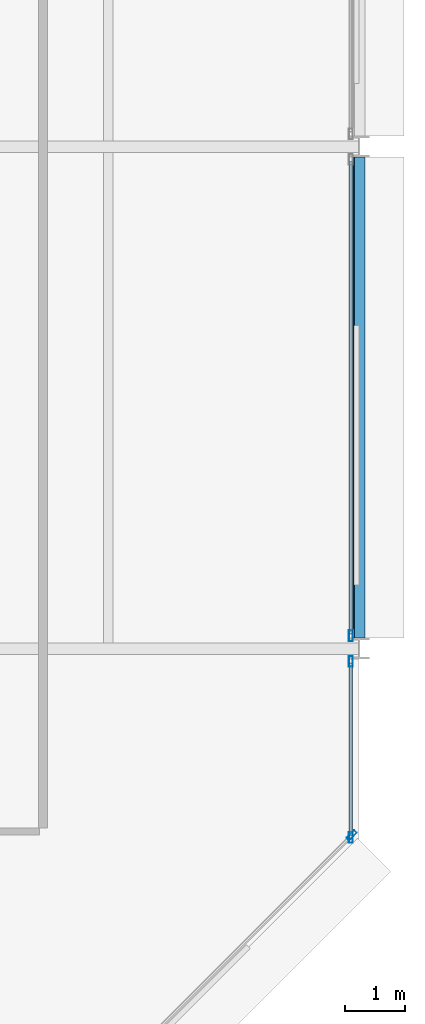
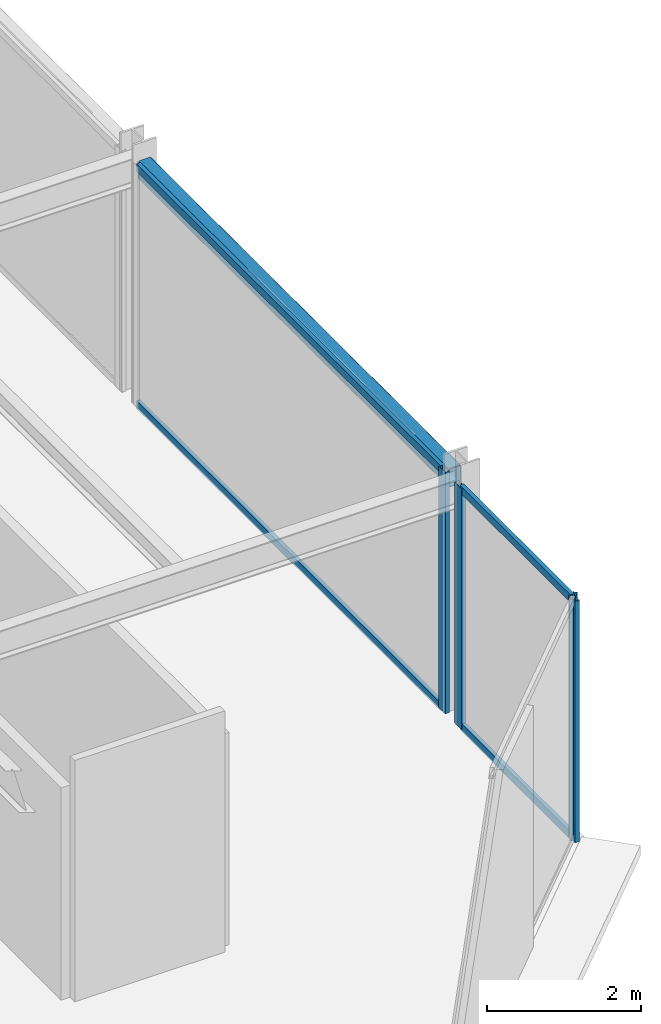
# One storey, part 14 of 30: 8 members, 1 beam, 3 elements without a shape of their own.
"""IFC4 building model written with IfcOpenShell, lengths in metres."""

from ifc_helpers import new_model, si_unit, direction, frame, origin, origin_2d, place, context, subcontext, project, spatial, hollow_rectangle, extrude, material, layer, layer_set, material_profile, profile_set, type_object, element, aggregate, save


model = new_model("IFC4")

# Units and contexts
model_context = context("Model", 3, precision=1e-05, world=origin(), true_north=direction((0.0, 1.0)))
body_context = subcontext(model_context, "Body", "Model", "MODEL_VIEW")
ifc_project = project(units=[si_unit("LENGTHUNIT", "METRE"), si_unit("AREAUNIT", "SQUARE_METRE"), si_unit("VOLUMEUNIT", "CUBIC_METRE"), si_unit("PLANEANGLEUNIT", "RADIAN"), si_unit("MASSUNIT", "GRAM", prefix="KILO")], contexts=[model_context])

# Site, building, storey
site_placement = place(None, origin())
site = spatial("IfcSite", under=ifc_project, at=site_placement, CompositionType="ELEMENT")
building_placement = place(site_placement, origin())
building = spatial("IfcBuilding", under=site, at=building_placement, Name="Nerrivon Quay Data Exchange", CompositionType="ELEMENT")
storey_placement = place(building_placement, frame((0.0, 0.0, 167.300048828125)))
storey = spatial("IfcBuildingStorey", under=building, at=storey_placement, Name="L39", CompositionType="ELEMENT", Elevation=167.300048828125)

# Beam
ifc_material_1 = material(Name="Steel Grade C350L0 (350 MPa)", Category="steel")
ifc_material_profile_1 = material_profile(ifc_material_1, hollow_rectangle(XDim=0.199951171875, YDim=0.300048828125, WallThickness=0.012451171875, InnerFilletRadius=0.018798828125, OuterFilletRadius=0.03125, at=origin_2d()), Name="300x200x12.5RHS")
ifc_profile_set_1 = profile_set([ifc_material_profile_1], Name="Steel Grade C350L0 (350 MPa)")
beam_type = type_object("IfcBeamType", Name="BM-SP3-300x200RHS", PredefinedType="SPANDREL", material=ifc_profile_set_1)
beam_placement = place(storey_placement, frame((42.0, 8.574951171875, 3.675048828125), z_axis=(0.0, 1.0, 0.0), x_axis=(-1.0, 0.0, 0.0)))
element("IfcBeam", 1, at=beam_placement, inside=storey, type_object=beam_type, Name="L39 NS Girder X=42.0 (8.4..16.8)", PredefinedType="SPANDREL", context=body_context, shape_type="SweptSolid", body=[
    extrude(hollow_rectangle(XDim=0.199951171875, YDim=0.300048828125, WallThickness=0.012451171875, InnerFilletRadius=0.018798828125, OuterFilletRadius=0.03125, at=origin_2d()), origin(), (0.0, 0.0, 1.0), 8.050048828125),
])

# Curtain wall, member
ifc_material_2 = material(Name="Anodised aluminium 6063-T6", Category="aluminium")
ifc_layer = layer(ifc_material_2, 0.195068359375)
ifc_layer_set = layer_set([ifc_layer], Name="Anodised aluminium 6063-T6")
curtain_wall_type = type_object("IfcCurtainWallType", Name="CW-SYS-06", PredefinedType="NOTDEFINED", material=ifc_layer_set)
curtain_wall_1_placement = place(storey_placement, origin())
curtain_wall_1 = element("IfcCurtainWall", 2, at=curtain_wall_1_placement, inside=storey, type_object=curtain_wall_type, Name="L39 Unitised Curtain Wall 1", PredefinedType="NOTDEFINED")
ifc_material_profile_2 = material_profile(ifc_material_2, hollow_rectangle(XDim=0.06494140625, YDim=0.179931640625, WallThickness=0.00341796875, at=origin_2d()), Name="ALU-MULL-180x65")
ifc_profile_set_2 = profile_set([ifc_material_profile_2], Name="Anodised aluminium 6063-T6")
member_type_1 = type_object("IfcMemberType", Name="CWM-180x65", PredefinedType="MULLION", material=ifc_profile_set_2)
member_1_placement = place(storey_placement, frame((41.87451171875, 5.2724609375, 0.0), z_axis=(0.0, 0.0, 1.0), x_axis=(0.707106781187, -0.707106781187, 0.0)))
member_1 = element("IfcMember", 3, at=member_1_placement, type_object=member_type_1, Name="CW06 mullion 1", PredefinedType="MULLION", context=body_context, shape_type="SweptSolid", body=[
    extrude(hollow_rectangle(XDim=0.06494140625, YDim=0.179931640625, WallThickness=0.00341796875, at=origin_2d()), origin(), (0.0, 0.0, 1.0), 3.824951171875),
])
aggregate(curtain_wall_1, [member_1])

curtain_wall_2_placement = place(storey_placement, origin())
curtain_wall_2 = element("IfcCurtainWall", 4, at=curtain_wall_2_placement, inside=storey, type_object=curtain_wall_type, Name="L39 Unitised Curtain Wall 29", PredefinedType="NOTDEFINED")
member_2_placement = place(storey_placement, frame((41.860107421875, 8.612548828125, 0.0), z_axis=(0.0, 0.0, 1.0), x_axis=(1.0, 0.0, 0.0)))
member_2 = element("IfcMember", 5, at=member_2_placement, type_object=member_type_1, Name="CW06 mullion 2", PredefinedType="MULLION", context=body_context, shape_type="SweptSolid", body=[
    extrude(hollow_rectangle(XDim=0.06494140625, YDim=0.179931640625, WallThickness=0.00341796875, at=origin_2d()), origin(), (0.0, 0.0, 1.0), 3.824951171875),
])

# Curtain wall, members
curtain_wall_3_placement = place(storey_placement, origin())
curtain_wall_3 = element("IfcCurtainWall", 6, at=curtain_wall_3_placement, inside=storey, type_object=curtain_wall_type, Name="L39 Unitised Curtain Wall 30", PredefinedType="NOTDEFINED")
member_3_placement = place(storey_placement, frame((41.860107421875, 8.1875, 0.0), z_axis=(0.0, 0.0, 1.0), x_axis=(1.0, 0.0, 0.0)))
member_3 = element("IfcMember", 7, at=member_3_placement, type_object=member_type_1, Name="CW06 mullion 1", PredefinedType="MULLION", context=body_context, shape_type="SweptSolid", body=[
    extrude(hollow_rectangle(XDim=0.06494140625, YDim=0.179931640625, WallThickness=0.00341796875, at=origin_2d()), origin(), (0.0, 0.0, 1.0), 3.824951171875),
])
member_4_placement = place(storey_placement, frame((41.860107421875, 5.237548828125, 0.0), z_axis=(0.0, 0.0, 1.0), x_axis=(1.0, 0.0, 0.0)))
member_4 = element("IfcMember", 8, at=member_4_placement, type_object=member_type_1, Name="CW06 mullion 2", PredefinedType="MULLION", context=body_context, shape_type="SweptSolid", body=[
    extrude(hollow_rectangle(XDim=0.06494140625, YDim=0.179931640625, WallThickness=0.00341796875, at=origin_2d()), origin(), (0.0, 0.0, 1.0), 3.824951171875),
])

# Member
ifc_material_profile_3 = material_profile(ifc_material_2, hollow_rectangle(XDim=0.06005859375, YDim=0.1201171875, WallThickness=0.003173828125, at=origin_2d()), Name="ALU-TRAN-120x60")
ifc_profile_set_3 = profile_set([ifc_material_profile_3], Name="Anodised aluminium 6063-T6")
member_type_2 = type_object("IfcMemberType", Name="CWT-120x60", PredefinedType="USERDEFINED", material=ifc_profile_set_3)
member_5_placement = place(storey_placement, frame((41.860107421875, 16.550048828125, 0.032470703125), z_axis=(0.0, -1.0, 0.0), x_axis=(1.0, 0.0, 0.0)))
member_5 = element("IfcMember", 9, at=member_5_placement, type_object=member_type_2, Name="CW06 transom 1.1", ObjectType="TRANSOM", PredefinedType="USERDEFINED", context=body_context, shape_type="SweptSolid", body=[
    extrude(hollow_rectangle(XDim=0.06005859375, YDim=0.1201171875, WallThickness=0.003173828125, at=origin_2d()), origin(), (0.0, 0.0, 1.0), 7.900146484375),
])

member_6_placement = place(storey_placement, frame((41.860107421875, 16.550048828125, 3.79248046875), z_axis=(0.0, -1.0, 0.0), x_axis=(1.0, 0.0, 0.0)))
member_6 = element("IfcMember", 10, at=member_6_placement, type_object=member_type_2, Name="CW06 transom 1.2", ObjectType="TRANSOM", PredefinedType="USERDEFINED", context=body_context, shape_type="SweptSolid", body=[
    extrude(hollow_rectangle(XDim=0.06005859375, YDim=0.1201171875, WallThickness=0.003173828125, at=origin_2d()), origin(), (0.0, 0.0, 1.0), 7.900146484375),
])

aggregate(curtain_wall_2, [member_2, member_5, member_6])

member_7_placement = place(storey_placement, frame((41.860107421875, 8.14990234375, 0.032470703125), z_axis=(0.0, -1.0, 0.0), x_axis=(1.0, 0.0, 0.0)))
member_7 = element("IfcMember", 11, at=member_7_placement, type_object=member_type_2, Name="CW06 transom 1.1", ObjectType="TRANSOM", PredefinedType="USERDEFINED", context=body_context, shape_type="SweptSolid", body=[
    extrude(hollow_rectangle(XDim=0.06005859375, YDim=0.1201171875, WallThickness=0.003173828125, at=origin_2d()), origin(), (0.0, 0.0, 1.0), 2.875),
])

member_8_placement = place(storey_placement, frame((41.860107421875, 8.14990234375, 3.79248046875), z_axis=(0.0, -1.0, 0.0), x_axis=(1.0, 0.0, 0.0)))
member_8 = element("IfcMember", 12, at=member_8_placement, type_object=member_type_2, Name="CW06 transom 1.2", ObjectType="TRANSOM", PredefinedType="USERDEFINED", context=body_context, shape_type="SweptSolid", body=[
    extrude(hollow_rectangle(XDim=0.06005859375, YDim=0.1201171875, WallThickness=0.003173828125, at=origin_2d()), origin(), (0.0, 0.0, 1.0), 2.875),
])

aggregate(curtain_wall_3, [member_3, member_4, member_7, member_8])

save(model, "model.ifc")
